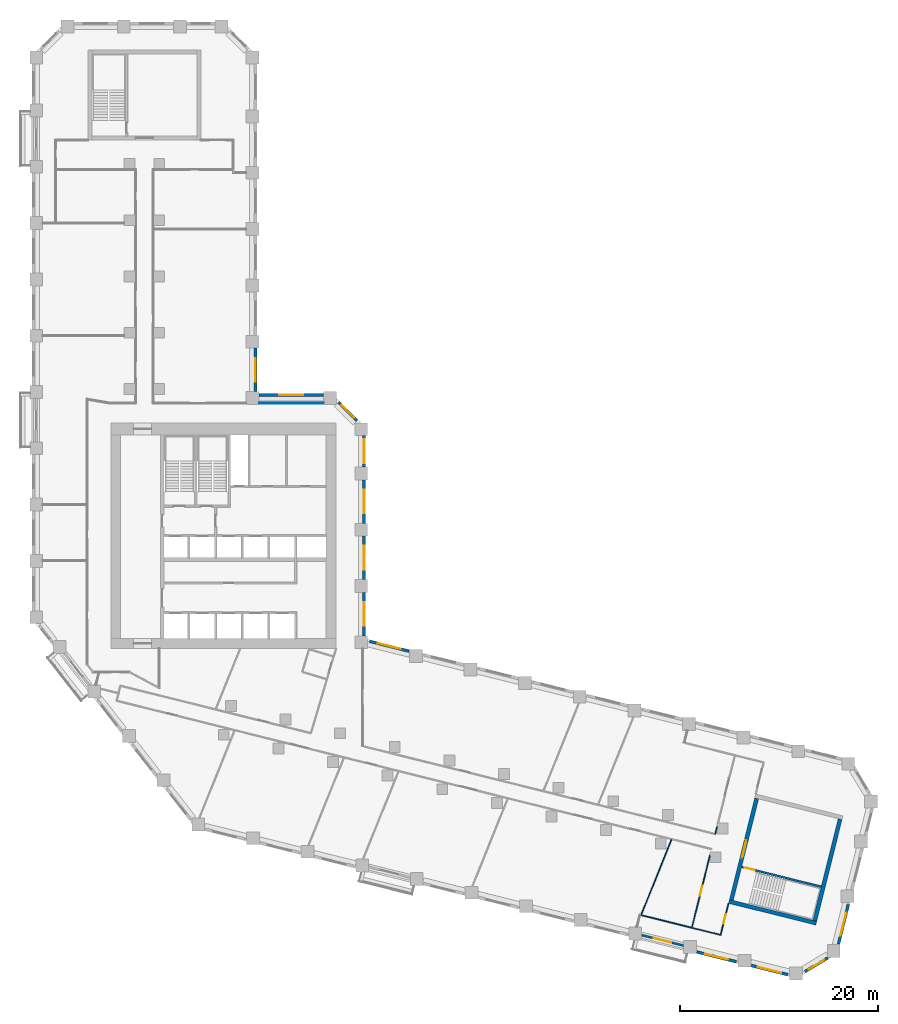
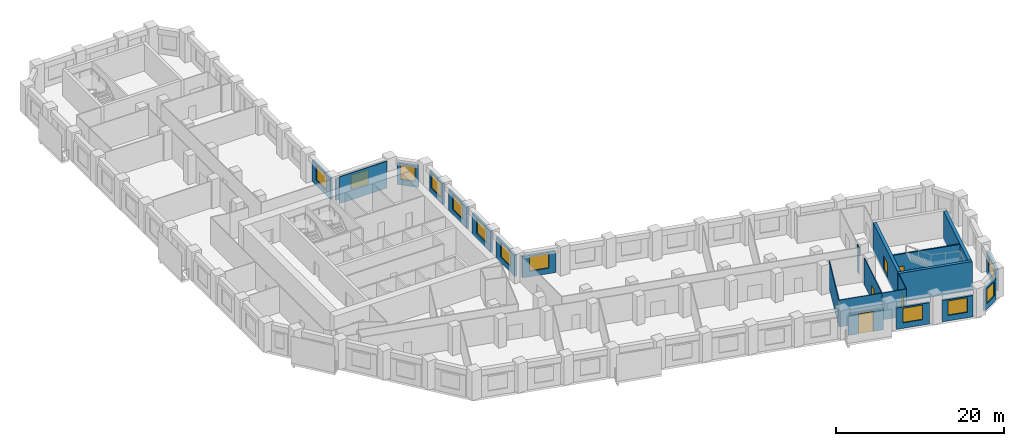
# One storey, part 6 of 10: 24 walls, 12 windows, 5 doors, 17 openings.
"""IFC4 building model written with IfcOpenShell, lengths in metres."""

from ifc_helpers import new_model, si_unit, direction, frame, frame_2d, origin, place, context, subcontext, project, spatial, rectangle, extrude, material, layer, layer_set, type_object, element, fill, save


model = new_model("IFC4")

# Units and contexts
model_context = context("Model", 3, precision=1e-05, world=origin(), true_north=direction((0.0, 1.0)))
body_context = subcontext(model_context, "Body", "Model", "MODEL_VIEW")
ifc_project = project(units=[si_unit("LENGTHUNIT", "METRE"), si_unit("AREAUNIT", "SQUARE_METRE"), si_unit("VOLUMEUNIT", "CUBIC_METRE"), si_unit("PLANEANGLEUNIT", "RADIAN"), si_unit("MASSUNIT", "GRAM", prefix="KILO")], contexts=[model_context])

# Site, building, storey
site_placement = place(None, origin())
site = spatial("IfcSite", under=ifc_project, at=site_placement, CompositionType="ELEMENT")
building_placement = place(site_placement, origin())
building = spatial("IfcBuilding", under=site, at=building_placement, Name="Meshkara Civic Tower", CompositionType="ELEMENT")
storey_placement = place(building_placement, frame((0.0, 0.0, 122.39990234375)))
storey = spatial("IfcBuildingStorey", under=building, at=storey_placement, Name="L27", CompositionType="ELEMENT", Elevation=122.39990234375)

# Walls
ifc_material_1 = material(Name="Corridor wall 100")
ifc_layer_1 = layer(ifc_material_1, 0.10009765625)
ifc_layer_set_1 = layer_set([ifc_layer_1], Name="Corridor wall 100")
wall_type_1 = type_object("IfcWallType", Name="Corridor wall 100", PredefinedType="PARTITIONING", material=ifc_layer_set_1)
wall_1_placement = place(storey_placement, frame((29.5439453125, 38.89990234375, 0.0), z_axis=(0.0, 0.0, 1.0), x_axis=(-1.0, 0.0, 0.0)))
element("IfcWall", 1, at=wall_1_placement, inside=storey, type_object=wall_type_1, Name="L27-W021", PredefinedType="PARTITIONING", context=body_context, shape_type="SweptSolid", body=[
    extrude(rectangle(XDim=6.5439453125, YDim=0.10009765625, at=frame_2d((3.27197265625, 0.0))), origin(), (0.0, 0.0, 1.0), 3.900146484375),
])
wall_2_placement = place(storey_placement, frame((66.822998046875, -14.18701171875, 0.0), z_axis=(0.0, 0.0, 1.0), x_axis=(0.970271610033, -0.242018600037, 0.0)))
element("IfcWall", 2, at=wall_2_placement, inside=storey, type_object=wall_type_1, Name="L27-W024", PredefinedType="PARTITIONING", context=body_context, shape_type="SweptSolid", body=[
    extrude(rectangle(XDim=3.0, YDim=0.10009765625, at=frame_2d((1.5, 0.0))), origin(), (0.0, 0.0, 1.0), 3.900146484375),
])

# Wall, opening, door
wall_3_placement = place(storey_placement, frame((68.64990234375, -6.860107421875, 0.0), z_axis=(0.0, 0.0, 1.0), x_axis=(-0.241934597979, -0.970292559129, 0.0)))
wall_3 = element("IfcWall", 3, at=wall_3_placement, inside=storey, type_object=wall_type_1, Name="L27-W025", PredefinedType="PARTITIONING", context=body_context, shape_type="SweptSolid", body=[
    extrude(rectangle(XDim=7.55126953125, YDim=0.10009765625, at=frame_2d((3.775634765625, 0.0))), origin(), (0.0, 0.0, 1.0), 3.900146484375),
])
opening_1_placement = place(wall_3_placement, frame((3.179931640625, 0.0, 0.0)))
opening_1 = element("IfcOpeningElement", 4, at=opening_1_placement, cuts=wall_3, Name="Opening L27-D002", PredefinedType="OPENING", context=body_context, shape_type="SweptSolid", body=[
    extrude(rectangle(XDim=1.0, YDim=2.10009765625, at=frame_2d((0.5, 1.050048828125))), frame((0.0, 0.06005859375, 0.0), z_axis=(0.0, -1.0, 0.0), x_axis=(1.0, 0.0, 0.0)), (0.0, 0.0, 1.0), 0.1201171875),
])
ifc_material_2 = material(Name="Door 1000 x 2100")
door_type_1 = type_object("IfcDoorType", Name="Door 1000 x 2100", OperationType="SINGLE_SWING_LEFT", PredefinedType="DOOR", material=ifc_material_2)
door_1_placement = place(opening_1_placement, origin())
door_1 = element("IfcDoor", 5, at=door_1_placement, inside=storey, type_object=door_type_1, Name="L27-D002", OperationType="SINGLE_SWING_RIGHT", OverallHeight=2.10009765625, OverallWidth=1.0, PredefinedType="DOOR", context=body_context, shape_type="SweptSolid", body=[
    extrude(rectangle(XDim=1.0, YDim=2.10009765625, at=frame_2d((0.5, 1.050048828125))), frame((0.0, 0.02490234375, 0.0), z_axis=(0.0, -1.0, 0.0), x_axis=(1.0, 0.0, 0.0)), (0.0, 0.0, 1.0), 0.050048828125),
])
fill(opening_1, door_1)

# Wall
wall_4_placement = place(storey_placement, frame((69.3759765625, -3.947998046875, 0.0), z_axis=(0.0, 0.0, 1.0), x_axis=(-0.24193792473, -0.970291729624, 0.0)))
element("IfcWall", 6, at=wall_4_placement, inside=storey, type_object=wall_type_1, Name="L27-W026", PredefinedType="PARTITIONING", context=body_context, shape_type="SweptSolid", body=[
    extrude(rectangle(XDim=0.76904296875, YDim=0.10009765625, at=frame_2d((0.384521484375, 0.0))), origin(), (0.0, 0.0, 1.0), 3.900146484375),
])

# Wall, opening, door
wall_5_placement = place(storey_placement, frame((69.73388671875, -14.9130859375, 0.0), z_axis=(0.0, 0.0, 1.0), x_axis=(0.241839284064, 0.97031631991, 0.0)))
wall_5 = element("IfcWall", 7, at=wall_5_placement, inside=storey, type_object=wall_type_1, Name="L27-W027", PredefinedType="PARTITIONING", context=body_context, shape_type="SweptSolid", body=[
    extrude(rectangle(XDim=3.300048828125, YDim=0.10009765625, at=frame_2d((1.64990234375, 0.0))), origin(), (0.0, 0.0, 1.0), 3.900146484375),
])
opening_2_placement = place(wall_5_placement, frame((1.179931640625, 0.0, 0.0)))
opening_2 = element("IfcOpeningElement", 8, at=opening_2_placement, cuts=wall_5, Name="Opening L27-D001", PredefinedType="OPENING", context=body_context, shape_type="SweptSolid", body=[
    extrude(rectangle(XDim=1.0, YDim=2.10009765625, at=frame_2d((0.5, 1.050048828125))), frame((0.0, 0.06005859375, 0.0), z_axis=(0.0, -1.0, 0.0), x_axis=(1.0, 0.0, 0.0)), (0.0, 0.0, 1.0), 0.1201171875),
])
door_2_placement = place(opening_2_placement, origin())
door_2 = element("IfcDoor", 9, at=door_2_placement, inside=storey, type_object=door_type_1, Name="L27-D001", OperationType="SINGLE_SWING_LEFT", OverallHeight=2.10009765625, OverallWidth=1.0, PredefinedType="DOOR", context=body_context, shape_type="SweptSolid", body=[
    extrude(rectangle(XDim=1.0, YDim=2.10009765625, at=frame_2d((0.5, 1.050048828125))), frame((0.0, 0.02490234375, 0.0), z_axis=(0.0, -1.0, 0.0), x_axis=(1.0, 0.0, 0.0)), (0.0, 0.0, 1.0), 0.050048828125),
])
fill(opening_2, door_2)

# Wall, opening, window
ifc_material_3 = material(Name="Insulated infill panel with bronze anodised aluminium cladding", Category="aluminium")
ifc_layer_2 = layer(ifc_material_3, 0.300048828125)
ifc_layer_set_2 = layer_set([ifc_layer_2], Name="EXTERNAL INFILL WALL 300")
wall_type_2 = type_object("IfcWallType", Name="EXTERNAL INFILL WALL 300", PredefinedType="SOLIDWALL", material=ifc_layer_set_2)
wall_6_placement = place(storey_placement, frame((38.18896484375, 13.822021484375, 0.0), z_axis=(0.0, 0.0, 1.0), x_axis=(-0.970281616392, 0.241978480223, 0.0)))
wall_6 = element("IfcWall", 10, at=wall_6_placement, inside=storey, type_object=wall_type_2, Name="External wall", PredefinedType="SOLIDWALL", context=body_context, shape_type="SweptSolid", body=[
    extrude(rectangle(XDim=4.12451171875, YDim=0.300048828125, at=frame_2d((2.062255859375, 0.0))), origin(), (0.0, 0.0, 1.0), 3.10009765625),
])
opening_3_placement = place(wall_6_placement, frame((0.862060546875, 0.0, 0.800048828125)))
opening_3 = element("IfcOpeningElement", 11, at=opening_3_placement, cuts=wall_6, Name="Opening W7", PredefinedType="OPENING", context=body_context, shape_type="SweptSolid", body=[
    extrude(rectangle(XDim=2.39990234375, YDim=2.10009765625, at=frame_2d((1.199951171875, 1.050048828125))), frame((0.0, 0.159912109375, 0.0), z_axis=(0.0, -1.0, 0.0), x_axis=(1.0, 0.0, 0.0)), (0.0, 0.0, 1.0), 0.320068359375),
])
ifc_material_4 = material(Name="Tinted double glazing", Category="glass")
window_type_1 = type_object("IfcWindowType", Name="WINDOW 2400x2100", PartitioningType="DOUBLE_PANEL_VERTICAL", PredefinedType="WINDOW", material=ifc_material_4)
window_1_placement = place(opening_3_placement, origin())
window_1 = element("IfcWindow", 12, at=window_1_placement, inside=storey, type_object=window_type_1, Name="Window", OverallHeight=2.10009765625, OverallWidth=2.39990234375, PartitioningType="DOUBLE_PANEL_VERTICAL", PredefinedType="WINDOW", context=body_context, shape_type="SweptSolid", body=[
    extrude(rectangle(XDim=2.39990234375, YDim=2.10009765625, at=frame_2d((1.199951171875, 1.050048828125))), frame((0.0, 0.030029296875, 0.0), z_axis=(0.0, -1.0, 0.0), x_axis=(1.0, 0.0, 0.0)), (0.0, 0.0, 1.0), 0.06005859375),
])
fill(opening_3, window_1)

wall_7_placement = place(storey_placement, frame((33.64990234375, 15.368896484375, 0.0), z_axis=(0.0, 0.0, 1.0), x_axis=(0.0, 1.0, 0.0)))
wall_7 = element("IfcWall", 13, at=wall_7_placement, inside=storey, type_object=wall_type_2, Name="External wall", PredefinedType="SOLIDWALL", context=body_context, shape_type="SweptSolid", body=[
    extrude(rectangle(XDim=4.400146484375, YDim=0.300048828125, at=frame_2d((2.2001953125, 0.0))), origin(), (0.0, 0.0, 1.0), 3.10009765625),
])
opening_4_placement = place(wall_7_placement, frame((1.0, 0.0, 0.800048828125)))
opening_4 = element("IfcOpeningElement", 14, at=opening_4_placement, cuts=wall_7, Name="Opening W7", PredefinedType="OPENING", context=body_context, shape_type="SweptSolid", body=[
    extrude(rectangle(XDim=2.39990234375, YDim=2.10009765625, at=frame_2d((1.199951171875, 1.050048828125))), frame((0.0, 0.159912109375, 0.0), z_axis=(0.0, -1.0, 0.0), x_axis=(1.0, 0.0, 0.0)), (0.0, 0.0, 1.0), 0.320068359375),
])
window_2_placement = place(opening_4_placement, origin())
window_2 = element("IfcWindow", 15, at=window_2_placement, inside=storey, type_object=window_type_1, Name="Window", OverallHeight=2.10009765625, OverallWidth=2.39990234375, PartitioningType="DOUBLE_PANEL_VERTICAL", PredefinedType="WINDOW", context=body_context, shape_type="SweptSolid", body=[
    extrude(rectangle(XDim=2.39990234375, YDim=2.10009765625, at=frame_2d((1.199951171875, 1.050048828125))), frame((0.0, 0.030029296875, 0.0), z_axis=(0.0, -1.0, 0.0), x_axis=(1.0, 0.0, 0.0)), (0.0, 0.0, 1.0), 0.06005859375),
])
fill(opening_4, window_2)

wall_8_placement = place(storey_placement, frame((33.64990234375, 21.069091796875, 0.0), z_axis=(0.0, 0.0, 1.0), x_axis=(0.0, 1.0, 0.0)))
wall_8 = element("IfcWall", 16, at=wall_8_placement, inside=storey, type_object=wall_type_2, Name="External wall", PredefinedType="SOLIDWALL", context=body_context, shape_type="SweptSolid", body=[
    extrude(rectangle(XDim=4.39990234375, YDim=0.300048828125, at=frame_2d((2.199951171875, 0.0))), origin(), (0.0, 0.0, 1.0), 3.10009765625),
])
opening_5_placement = place(wall_8_placement, frame((1.0, 0.0, 0.800048828125)))
opening_5 = element("IfcOpeningElement", 17, at=opening_5_placement, cuts=wall_8, Name="Opening W7", PredefinedType="OPENING", context=body_context, shape_type="SweptSolid", body=[
    extrude(rectangle(XDim=2.39990234375, YDim=2.10009765625, at=frame_2d((1.199951171875, 1.050048828125))), frame((0.0, 0.159912109375, 0.0), z_axis=(0.0, -1.0, 0.0), x_axis=(1.0, 0.0, 0.0)), (0.0, 0.0, 1.0), 0.320068359375),
])
window_3_placement = place(opening_5_placement, origin())
window_3 = element("IfcWindow", 18, at=window_3_placement, inside=storey, type_object=window_type_1, Name="Window", OverallHeight=2.10009765625, OverallWidth=2.39990234375, PartitioningType="DOUBLE_PANEL_VERTICAL", PredefinedType="WINDOW", context=body_context, shape_type="SweptSolid", body=[
    extrude(rectangle(XDim=2.39990234375, YDim=2.10009765625, at=frame_2d((1.199951171875, 1.050048828125))), frame((0.0, 0.030029296875, 0.0), z_axis=(0.0, -1.0, 0.0), x_axis=(1.0, 0.0, 0.0)), (0.0, 0.0, 1.0), 0.06005859375),
])
fill(opening_5, window_3)

wall_9_placement = place(storey_placement, frame((33.64990234375, 26.76904296875, 0.0), z_axis=(0.0, 0.0, 1.0), x_axis=(0.0, 1.0, 0.0)))
wall_9 = element("IfcWall", 19, at=wall_9_placement, inside=storey, type_object=wall_type_2, Name="External wall", PredefinedType="SOLIDWALL", context=body_context, shape_type="SweptSolid", body=[
    extrude(rectangle(XDim=4.39990234375, YDim=0.300048828125, at=frame_2d((2.199951171875, 0.0))), origin(), (0.0, 0.0, 1.0), 3.10009765625),
])
opening_6_placement = place(wall_9_placement, frame((1.0, 0.0, 0.800048828125)))
opening_6 = element("IfcOpeningElement", 20, at=opening_6_placement, cuts=wall_9, Name="Opening W7", PredefinedType="OPENING", context=body_context, shape_type="SweptSolid", body=[
    extrude(rectangle(XDim=2.39990234375, YDim=2.10009765625, at=frame_2d((1.199951171875, 1.050048828125))), frame((0.0, 0.159912109375, 0.0), z_axis=(0.0, -1.0, 0.0), x_axis=(1.0, 0.0, 0.0)), (0.0, 0.0, 1.0), 0.320068359375),
])
window_4_placement = place(opening_6_placement, origin())
window_4 = element("IfcWindow", 21, at=window_4_placement, inside=storey, type_object=window_type_1, Name="Window", OverallHeight=2.10009765625, OverallWidth=2.39990234375, PartitioningType="DOUBLE_PANEL_VERTICAL", PredefinedType="WINDOW", context=body_context, shape_type="SweptSolid", body=[
    extrude(rectangle(XDim=2.39990234375, YDim=2.10009765625, at=frame_2d((1.199951171875, 1.050048828125))), frame((0.0, 0.030029296875, 0.0), z_axis=(0.0, -1.0, 0.0), x_axis=(1.0, 0.0, 0.0)), (0.0, 0.0, 1.0), 0.06005859375),
])
fill(opening_6, window_4)

wall_10_placement = place(storey_placement, frame((33.64990234375, 32.468994140625, 0.0), z_axis=(0.0, 0.0, 1.0), x_axis=(0.0, 1.0, 0.0)))
wall_10 = element("IfcWall", 22, at=wall_10_placement, inside=storey, type_object=wall_type_2, Name="External wall", PredefinedType="SOLIDWALL", context=body_context, shape_type="SweptSolid", body=[
    extrude(rectangle(XDim=3.175048828125, YDim=0.300048828125, at=frame_2d((1.58740234375, 0.0))), origin(), (0.0, 0.0, 1.0), 3.10009765625),
])
opening_7_placement = place(wall_10_placement, frame((0.387939453125, 0.0, 0.800048828125)))
opening_7 = element("IfcOpeningElement", 23, at=opening_7_placement, cuts=wall_10, Name="Opening W7", PredefinedType="OPENING", context=body_context, shape_type="SweptSolid", body=[
    extrude(rectangle(XDim=2.39990234375, YDim=2.10009765625, at=frame_2d((1.199951171875, 1.050048828125))), frame((0.0, 0.159912109375, 0.0), z_axis=(0.0, -1.0, 0.0), x_axis=(1.0, 0.0, 0.0)), (0.0, 0.0, 1.0), 0.320068359375),
])
window_5_placement = place(opening_7_placement, origin())
window_5 = element("IfcWindow", 24, at=window_5_placement, inside=storey, type_object=window_type_1, Name="Window", OverallHeight=2.10009765625, OverallWidth=2.39990234375, PartitioningType="DOUBLE_PANEL_VERTICAL", PredefinedType="WINDOW", context=body_context, shape_type="SweptSolid", body=[
    extrude(rectangle(XDim=2.39990234375, YDim=2.10009765625, at=frame_2d((1.199951171875, 1.050048828125))), frame((0.0, 0.030029296875, 0.0), z_axis=(0.0, -1.0, 0.0), x_axis=(1.0, 0.0, 0.0)), (0.0, 0.0, 1.0), 0.06005859375),
])
fill(opening_7, window_5)

wall_11_placement = place(storey_placement, frame((32.912109375, 37.156005859375, 0.0), z_axis=(0.0, 0.0, 1.0), x_axis=(-0.707153284542, 0.707060274772, 0.0)))
wall_11 = element("IfcWall", 25, at=wall_11_placement, inside=storey, type_object=wall_type_2, Name="External wall", PredefinedType="SOLIDWALL", context=body_context, shape_type="SweptSolid", body=[
    extrude(rectangle(XDim=2.625, YDim=0.300048828125, at=frame_2d((1.3125, 0.0))), origin(), (0.0, 0.0, 1.0), 3.10009765625),
])
opening_8_placement = place(wall_11_placement, frame((0.412109375, 0.0, 0.800048828125)))
opening_8 = element("IfcOpeningElement", 26, at=opening_8_placement, cuts=wall_11, Name="Opening W9", PredefinedType="OPENING", context=body_context, shape_type="SweptSolid", body=[
    extrude(rectangle(XDim=1.800048828125, YDim=2.10009765625, at=frame_2d((0.89990234375, 1.050048828125))), frame((0.0, 0.159912109375, 0.0), z_axis=(0.0, -1.0, 0.0), x_axis=(1.0, 0.0, 0.0)), (0.0, 0.0, 1.0), 0.320068359375),
])
ifc_material_5 = material(Name="Tinted double glazing", Category="glass")
window_type_2 = type_object("IfcWindowType", Name="WINDOW 1800x2100", PartitioningType="DOUBLE_PANEL_VERTICAL", PredefinedType="WINDOW", material=ifc_material_5)
window_6_placement = place(opening_8_placement, origin())
window_6 = element("IfcWindow", 27, at=window_6_placement, inside=storey, type_object=window_type_2, Name="Window", OverallHeight=2.10009765625, OverallWidth=1.800048828125, PartitioningType="DOUBLE_PANEL_VERTICAL", PredefinedType="WINDOW", context=body_context, shape_type="SweptSolid", body=[
    extrude(rectangle(XDim=1.800048828125, YDim=2.10009765625, at=frame_2d((0.89990234375, 1.050048828125))), frame((0.0, 0.030029296875, 0.0), z_axis=(0.0, -1.0, 0.0), x_axis=(1.0, 0.0, 0.0)), (0.0, 0.0, 1.0), 0.06005859375),
])
fill(opening_8, window_6)

wall_12_placement = place(storey_placement, frame((29.5439453125, 39.75, 0.0), z_axis=(0.0, 0.0, 1.0), x_axis=(-1.0, 0.0, 0.0)))
wall_12 = element("IfcWall", 28, at=wall_12_placement, inside=storey, type_object=wall_type_2, Name="External wall", PredefinedType="SOLIDWALL", context=body_context, shape_type="SweptSolid", body=[
    extrude(rectangle(XDim=6.5439453125, YDim=0.300048828125, at=frame_2d((3.27197265625, 0.0))), origin(), (0.0, 0.0, 1.0), 3.10009765625),
])
opening_9_placement = place(wall_12_placement, frame((2.072021484375, 0.0, 0.800048828125)))
opening_9 = element("IfcOpeningElement", 29, at=opening_9_placement, cuts=wall_12, Name="Opening W7", PredefinedType="OPENING", context=body_context, shape_type="SweptSolid", body=[
    extrude(rectangle(XDim=2.39990234375, YDim=2.10009765625, at=frame_2d((1.199951171875, 1.050048828125))), frame((0.0, 0.159912109375, 0.0), z_axis=(0.0, -1.0, 0.0), x_axis=(1.0, 0.0, 0.0)), (0.0, 0.0, 1.0), 0.320068359375),
])
window_7_placement = place(opening_9_placement, origin())
window_7 = element("IfcWindow", 30, at=window_7_placement, inside=storey, type_object=window_type_1, Name="Window", OverallHeight=2.10009765625, OverallWidth=2.39990234375, PartitioningType="DOUBLE_PANEL_VERTICAL", PredefinedType="WINDOW", context=body_context, shape_type="SweptSolid", body=[
    extrude(rectangle(XDim=2.39990234375, YDim=2.10009765625, at=frame_2d((1.199951171875, 1.050048828125))), frame((0.0, 0.030029296875, 0.0), z_axis=(0.0, -1.0, 0.0), x_axis=(1.0, 0.0, 0.0)), (0.0, 0.0, 1.0), 0.06005859375),
])
fill(opening_9, window_7)

wall_13_placement = place(storey_placement, frame((22.64990234375, 40.10009765625, 0.0), z_axis=(0.0, 0.0, 1.0), x_axis=(0.0, 1.0, 0.0)))
wall_13 = element("IfcWall", 31, at=wall_13_placement, inside=storey, type_object=wall_type_2, Name="External wall", PredefinedType="SOLIDWALL", context=body_context, shape_type="SweptSolid", body=[
    extrude(rectangle(XDim=4.39990234375, YDim=0.300048828125, at=frame_2d((2.199951171875, 0.0))), origin(), (0.0, 0.0, 1.0), 3.10009765625),
])
opening_10_placement = place(wall_13_placement, frame((1.0, 0.0, 0.800048828125)))
opening_10 = element("IfcOpeningElement", 32, at=opening_10_placement, cuts=wall_13, Name="Opening W7", PredefinedType="OPENING", context=body_context, shape_type="SweptSolid", body=[
    extrude(rectangle(XDim=2.39990234375, YDim=2.10009765625, at=frame_2d((1.199951171875, 1.050048828125))), frame((0.0, 0.159912109375, 0.0), z_axis=(0.0, -1.0, 0.0), x_axis=(1.0, 0.0, 0.0)), (0.0, 0.0, 1.0), 0.320068359375),
])
window_8_placement = place(opening_10_placement, origin())
window_8 = element("IfcWindow", 33, at=window_8_placement, inside=storey, type_object=window_type_1, Name="Window", OverallHeight=2.10009765625, OverallWidth=2.39990234375, PartitioningType="DOUBLE_PANEL_VERTICAL", PredefinedType="WINDOW", context=body_context, shape_type="SweptSolid", body=[
    extrude(rectangle(XDim=2.39990234375, YDim=2.10009765625, at=frame_2d((1.199951171875, 1.050048828125))), frame((0.0, 0.030029296875, 0.0), z_axis=(0.0, -1.0, 0.0), x_axis=(1.0, 0.0, 0.0)), (0.0, 0.0, 1.0), 0.06005859375),
])
fill(opening_10, window_8)

wall_14_placement = place(storey_placement, frame((67.319091796875, -16.6298828125, 0.0), z_axis=(0.0, 0.0, 1.0), x_axis=(0.970337184445, -0.241755555227, 0.0)))
wall_14 = element("IfcWall", 34, at=wall_14_placement, inside=storey, type_object=wall_type_2, Name="External wall", PredefinedType="SOLIDWALL", context=body_context, shape_type="SweptSolid", body=[
    extrude(rectangle(XDim=4.124267578125, YDim=0.300048828125, at=frame_2d((2.06201171875, 0.0))), origin(), (0.0, 0.0, 1.0), 3.10009765625),
])
opening_11_placement = place(wall_14_placement, frame((0.862060546875, 0.0, 0.800048828125)))
opening_11 = element("IfcOpeningElement", 35, at=opening_11_placement, cuts=wall_14, Name="Opening W7", PredefinedType="OPENING", context=body_context, shape_type="SweptSolid", body=[
    extrude(rectangle(XDim=2.39990234375, YDim=2.10009765625, at=frame_2d((1.199951171875, 1.050048828125))), frame((0.0, 0.159912109375, 0.0), z_axis=(0.0, -1.0, 0.0), x_axis=(1.0, 0.0, 0.0)), (0.0, 0.0, 1.0), 0.320068359375),
])
window_9_placement = place(opening_11_placement, origin())
window_9 = element("IfcWindow", 36, at=window_9_placement, inside=storey, type_object=window_type_1, Name="Window", OverallHeight=2.10009765625, OverallWidth=2.39990234375, PartitioningType="DOUBLE_PANEL_VERTICAL", PredefinedType="WINDOW", context=body_context, shape_type="SweptSolid", body=[
    extrude(rectangle(XDim=2.39990234375, YDim=2.10009765625, at=frame_2d((1.199951171875, 1.050048828125))), frame((0.0, 0.030029296875, 0.0), z_axis=(0.0, -1.0, 0.0), x_axis=(1.0, 0.0, 0.0)), (0.0, 0.0, 1.0), 0.06005859375),
])
fill(opening_11, window_9)

wall_15_placement = place(storey_placement, frame((72.85009765625, -18.009033203125, 0.0), z_axis=(0.0, 0.0, 1.0), x_axis=(0.970309295155, -0.241867467295, 0.0)))
wall_15 = element("IfcWall", 37, at=wall_15_placement, inside=storey, type_object=wall_type_2, Name="External wall", PredefinedType="SOLIDWALL", context=body_context, shape_type="SweptSolid", body=[
    extrude(rectangle(XDim=3.783203125, YDim=0.300048828125, at=frame_2d((1.8916015625, 0.0))), origin(), (0.0, 0.0, 1.0), 3.10009765625),
])
opening_12_placement = place(wall_15_placement, frame((0.69189453125, 0.0, 0.800048828125)))
opening_12 = element("IfcOpeningElement", 38, at=opening_12_placement, cuts=wall_15, Name="Opening W7", PredefinedType="OPENING", context=body_context, shape_type="SweptSolid", body=[
    extrude(rectangle(XDim=2.39990234375, YDim=2.10009765625, at=frame_2d((1.199951171875, 1.050048828125))), frame((0.0, 0.159912109375, 0.0), z_axis=(0.0, -1.0, 0.0), x_axis=(1.0, 0.0, 0.0)), (0.0, 0.0, 1.0), 0.320068359375),
])
window_10_placement = place(opening_12_placement, origin())
window_10 = element("IfcWindow", 39, at=window_10_placement, inside=storey, type_object=window_type_1, Name="Window", OverallHeight=2.10009765625, OverallWidth=2.39990234375, PartitioningType="DOUBLE_PANEL_VERTICAL", PredefinedType="WINDOW", context=body_context, shape_type="SweptSolid", body=[
    extrude(rectangle(XDim=2.39990234375, YDim=2.10009765625, at=frame_2d((1.199951171875, 1.050048828125))), frame((0.0, 0.030029296875, 0.0), z_axis=(0.0, -1.0, 0.0), x_axis=(1.0, 0.0, 0.0)), (0.0, 0.0, 1.0), 0.06005859375),
])
fill(opening_12, window_10)

wall_16_placement = place(storey_placement, frame((78.277099609375, -18.62109375, 0.0), z_axis=(0.0, 0.0, 1.0), x_axis=(0.857066424989, 0.515205923061, 0.0)))
wall_16 = element("IfcWall", 40, at=wall_16_placement, inside=storey, type_object=wall_type_2, Name="External wall", PredefinedType="SOLIDWALL", context=body_context, shape_type="SweptSolid", body=[
    extrude(rectangle(XDim=2.6787109375, YDim=0.300048828125, at=frame_2d((1.33935546875, 0.0))), origin(), (0.0, 0.0, 1.0), 3.10009765625),
])
opening_13_placement = place(wall_16_placement, frame((0.43896484375, 0.0, 0.800048828125)))
opening_13 = element("IfcOpeningElement", 41, at=opening_13_placement, cuts=wall_16, Name="Opening W9", PredefinedType="OPENING", context=body_context, shape_type="SweptSolid", body=[
    extrude(rectangle(XDim=1.800048828125, YDim=2.10009765625, at=frame_2d((0.89990234375, 1.050048828125))), frame((0.0, 0.159912109375, 0.0), z_axis=(0.0, -1.0, 0.0), x_axis=(1.0, 0.0, 0.0)), (0.0, 0.0, 1.0), 0.320068359375),
])
window_11_placement = place(opening_13_placement, origin())
window_11 = element("IfcWindow", 42, at=window_11_placement, inside=storey, type_object=window_type_2, Name="Window", OverallHeight=2.10009765625, OverallWidth=1.800048828125, PartitioningType="DOUBLE_PANEL_VERTICAL", PredefinedType="WINDOW", context=body_context, shape_type="SweptSolid", body=[
    extrude(rectangle(XDim=1.800048828125, YDim=2.10009765625, at=frame_2d((0.89990234375, 1.050048828125))), frame((0.0, 0.030029296875, 0.0), z_axis=(0.0, -1.0, 0.0), x_axis=(1.0, 0.0, 0.0)), (0.0, 0.0, 1.0), 0.06005859375),
])
fill(opening_13, window_11)

wall_17_placement = place(storey_placement, frame((81.6650390625, -15.83203125, 0.0), z_axis=(0.0, 0.0, 1.0), x_axis=(0.241978480223, 0.970281616392, 0.0)))
wall_17 = element("IfcWall", 43, at=wall_17_placement, inside=storey, type_object=wall_type_2, Name="External wall", PredefinedType="SOLIDWALL", context=body_context, shape_type="SweptSolid", body=[
    extrude(rectangle(XDim=4.12451171875, YDim=0.300048828125, at=frame_2d((2.062255859375, 0.0))), origin(), (0.0, 0.0, 1.0), 3.10009765625),
])
opening_14_placement = place(wall_17_placement, frame((0.862060546875, 0.0, 0.800048828125)))
opening_14 = element("IfcOpeningElement", 44, at=opening_14_placement, cuts=wall_17, Name="Opening W7", PredefinedType="OPENING", context=body_context, shape_type="SweptSolid", body=[
    extrude(rectangle(XDim=2.39990234375, YDim=2.10009765625, at=frame_2d((1.199951171875, 1.050048828125))), frame((0.0, 0.159912109375, 0.0), z_axis=(0.0, -1.0, 0.0), x_axis=(1.0, 0.0, 0.0)), (0.0, 0.0, 1.0), 0.320068359375),
])
window_12_placement = place(opening_14_placement, origin())
window_12 = element("IfcWindow", 45, at=window_12_placement, inside=storey, type_object=window_type_1, Name="Window", OverallHeight=2.10009765625, OverallWidth=2.39990234375, PartitioningType="DOUBLE_PANEL_VERTICAL", PredefinedType="WINDOW", context=body_context, shape_type="SweptSolid", body=[
    extrude(rectangle(XDim=2.39990234375, YDim=2.10009765625, at=frame_2d((1.199951171875, 1.050048828125))), frame((0.0, 0.030029296875, 0.0), z_axis=(0.0, -1.0, 0.0), x_axis=(1.0, 0.0, 0.0)), (0.0, 0.0, 1.0), 0.06005859375),
])
fill(opening_14, window_12)

# Wall
ifc_material_6 = material(Name="Concrete C70", Category="concrete")
ifc_layer_3 = layer(ifc_material_6, 0.39990234375)
ifc_layer_set_3 = layer_set([ifc_layer_3], Name="End core ring wall 400 C70")
wall_type_3 = type_object("IfcWallType", Name="End core ring wall 400 C70", PredefinedType="SHEAR", material=ifc_layer_set_3)
wall_18_placement = place(storey_placement, frame((70.580078125, -11.51708984375, -0.2998046875), z_axis=(0.0, 0.0, 1.0), x_axis=(0.970285938441, -0.241961149081, 0.0)))
element("IfcWall", 46, at=wall_18_placement, inside=storey, type_object=wall_type_3, Name="L27-C031", PredefinedType="SHEAR", context=body_context, shape_type="SweptSolid", body=[
    extrude(rectangle(XDim=9.100341796875, YDim=0.39990234375, at=frame_2d((4.55029296875, 0.0))), origin(), (0.0, 0.0, 1.0), 4.199951171875),
])

# Wall, opening, door
wall_19_placement = place(storey_placement, frame((70.822998046875, -11.37109375, -0.2998046875), z_axis=(0.0, 0.0, 1.0), x_axis=(0.241885246693, 0.97030486314, 0.0)))
wall_19 = element("IfcWall", 47, at=wall_19_placement, inside=storey, type_object=wall_type_3, Name="L27-C033", PredefinedType="SHEAR", context=body_context, shape_type="SweptSolid", body=[
    extrude(rectangle(XDim=10.599853515625, YDim=0.39990234375, at=frame_2d((5.2998046875, 0.0))), origin(), (0.0, 0.0, 1.0), 4.199951171875),
])
opening_15_placement = place(wall_19_placement, frame((4.39990234375, 0.0, 0.300048828125)))
opening_15 = element("IfcOpeningElement", 48, at=opening_15_placement, cuts=wall_19, Name="Opening L27-K202", PredefinedType="OPENING", context=body_context, shape_type="SweptSolid", body=[
    extrude(rectangle(XDim=1.800048828125, YDim=2.10009765625, at=frame_2d((0.89990234375, 1.050048828125))), frame((0.0, 0.2099609375, 0.0), z_axis=(0.0, -1.0, 0.0), x_axis=(1.0, 0.0, 0.0)), (0.0, 0.0, 1.0), 0.419921875),
])
ifc_material_7 = material(Name="Fire-rated door leaf in steel frame", Category="steel")
door_type_2 = type_object("IfcDoorType", Name="Core double door 1800 EI 60", OperationType="DOUBLE_DOOR_SINGLE_SWING", PredefinedType="DOOR", material=ifc_material_7)
door_3_placement = place(opening_15_placement, origin())
door_3 = element("IfcDoor", 49, at=door_3_placement, inside=storey, type_object=door_type_2, Name="L27-K202", OperationType="DOUBLE_DOOR_SINGLE_SWING", OverallHeight=2.10009765625, OverallWidth=1.800048828125, PredefinedType="DOOR", context=body_context, shape_type="SweptSolid", body=[
    extrude(rectangle(XDim=1.800048828125, YDim=2.10009765625, at=frame_2d((0.89990234375, 1.050048828125))), frame((0.0, 0.02490234375, 0.0), z_axis=(0.0, -1.0, 0.0), x_axis=(1.0, 0.0, 0.0)), (0.0, 0.0, 1.0), 0.050048828125),
])
fill(opening_15, door_3)

# Wall
wall_20_placement = place(storey_placement, frame((79.263916015625, -13.47607421875, -0.2998046875), z_axis=(0.0, 0.0, 1.0), x_axis=(0.241993665753, 0.970277829148, 0.0)))
element("IfcWall", 50, at=wall_20_placement, inside=storey, type_object=wall_type_3, Name="L27-C034", PredefinedType="SHEAR", context=body_context, shape_type="SweptSolid", body=[
    extrude(rectangle(XDim=10.60009765625, YDim=0.39990234375, at=frame_2d((5.300048828125, 0.0))), origin(), (0.0, 0.0, 1.0), 4.199951171875),
])

# Wall, opening, door
ifc_material_8 = material(Name="Insulated infill panel with bronze anodised aluminium cladding", Category="aluminium")
ifc_layer_4 = layer(ifc_material_8, 0.199951171875)
ifc_layer_set_4 = layer_set([ifc_layer_4], Name="LOGGIA BACK WALL 200")
wall_type_4 = type_object("IfcWallType", Name="LOGGIA BACK WALL 200", PredefinedType="SOLIDWALL", material=ifc_layer_set_4)
wall_21_placement = place(storey_placement, frame((61.7470703125, -14.930908203125, 0.0), z_axis=(0.0, 0.0, 1.0), x_axis=(0.970267548892, -0.242034880891, 0.0)))
wall_21 = element("IfcWall", 51, at=wall_21_placement, inside=storey, type_object=wall_type_4, Name="Loggia wall", PredefinedType="SOLIDWALL", context=body_context, shape_type="SweptSolid", body=[
    extrude(rectangle(XDim=4.359619140625, YDim=0.199951171875, at=frame_2d((2.1796875, 0.0))), origin(), (0.0, 0.0, 1.0), 3.10009765625),
])
opening_16_placement = place(wall_21_placement, frame((1.279052734375, 0.0, 0.0)))
opening_16 = element("IfcOpeningElement", 52, at=opening_16_placement, cuts=wall_21, Name="Opening L27-L005", PredefinedType="OPENING", context=body_context, shape_type="SweptSolid", body=[
    extrude(rectangle(XDim=1.800048828125, YDim=2.89990234375, at=frame_2d((0.89990234375, 1.449951171875))), frame((0.0, 0.10986328125, 0.0), z_axis=(0.0, -1.0, 0.0), x_axis=(1.0, 0.0, 0.0)), (0.0, 0.0, 1.0), 0.219970703125),
])
ifc_material_9 = material(Name="Tinted double glazing", Category="glass")
door_type_3 = type_object("IfcDoorType", Name="LOGGIA DOOR 1800x2900", OperationType="DOUBLE_DOOR_SINGLE_SWING", PredefinedType="DOOR", material=ifc_material_9)
door_4_placement = place(opening_16_placement, origin())
door_4 = element("IfcDoor", 53, at=door_4_placement, inside=storey, type_object=door_type_3, Name="L27-L005", OperationType="DOUBLE_DOOR_SINGLE_SWING", OverallHeight=2.89990234375, OverallWidth=1.800048828125, PredefinedType="DOOR", context=body_context, shape_type="SweptSolid", body=[
    extrude(rectangle(XDim=1.800048828125, YDim=2.89990234375, at=frame_2d((0.89990234375, 1.449951171875))), frame((0.0, 0.02490234375, 0.0), z_axis=(0.0, -1.0, 0.0), x_axis=(1.0, 0.0, 0.0)), (0.0, 0.0, 1.0), 0.050048828125),
])
fill(opening_16, door_4)

# Walls
ifc_material_10 = material(Name="Partition 100")
ifc_layer_5 = layer(ifc_material_10, 0.10009765625)
ifc_layer_set_5 = layer_set([ifc_layer_5], Name="Partition 100")
wall_type_5 = type_object("IfcWallType", Name="Partition 100", PredefinedType="PARTITIONING", material=ifc_layer_set_5)
wall_22_placement = place(storey_placement, frame((61.677978515625, -12.904052734375, 0.0), z_axis=(0.0, 0.0, 1.0), x_axis=(0.3745149781, 0.927220864292, 0.0)))
element("IfcWall", 54, at=wall_22_placement, inside=storey, type_object=wall_type_5, Name="L27-W052", PredefinedType="PARTITIONING", context=body_context, shape_type="SweptSolid", body=[
    extrude(rectangle(XDim=8.23974609375, YDim=0.10009765625, at=frame_2d((4.119873046875, 0.0))), origin(), (0.0, 0.0, 1.0), 3.900146484375),
])
wall_23_placement = place(storey_placement, frame((61.677978515625, -12.904052734375, 0.0), z_axis=(0.0, 0.0, 1.0), x_axis=(0.97028846404, -0.241951020976, 0.0)))
element("IfcWall", 55, at=wall_23_placement, inside=storey, type_object=wall_type_5, Name="L27-W053", PredefinedType="PARTITIONING", context=body_context, shape_type="SweptSolid", body=[
    extrude(rectangle(XDim=5.306640625, YDim=0.10009765625, at=frame_2d((2.6533203125, 0.0))), origin(), (0.0, 0.0, 1.0), 3.900146484375),
])

# Wall, opening, door
ifc_material_11 = material(Name="Concrete C40/50", Category="concrete")
ifc_layer_6 = layer(ifc_material_11, 0.199951171875)
ifc_layer_set_6 = layer_set([ifc_layer_6], Name="Stair enclosure wall 200 C40/50")
wall_type_6 = type_object("IfcWallType", Name="Stair enclosure wall 200 C40/50", PredefinedType="SOLIDWALL", material=ifc_layer_set_6)
wall_24_placement = place(storey_placement, frame((71.864013671875, -8.02392578125, 0.0), z_axis=(0.0, 0.0, 1.0), x_axis=(0.970289402158, -0.241947258837, 0.0)))
wall_24 = element("IfcWall", 56, at=wall_24_placement, inside=storey, type_object=wall_type_6, Name="L27-C035", PredefinedType="SOLIDWALL", context=body_context, shape_type="SweptSolid", body=[
    extrude(rectangle(XDim=8.299560546875, YDim=0.199951171875, at=frame_2d((4.14990234375, 0.0))), origin(), (0.0, 0.0, 1.0), 3.900146484375),
])
opening_17_placement = place(wall_24_placement, frame((0.35009765625, 0.0, 0.0)))
opening_17 = element("IfcOpeningElement", 57, at=opening_17_placement, cuts=wall_24, Name="Opening L27-K201", PredefinedType="OPENING", context=body_context, shape_type="SweptSolid", body=[
    extrude(rectangle(XDim=1.0, YDim=2.10009765625, at=frame_2d((0.5, 1.050048828125))), frame((0.0, 0.10986328125, 0.0), z_axis=(0.0, -1.0, 0.0), x_axis=(1.0, 0.0, 0.0)), (0.0, 0.0, 1.0), 0.219970703125),
])
ifc_material_12 = material(Name="Fire-rated door leaf in steel frame", Category="steel")
door_type_4 = type_object("IfcDoorType", Name="Stair door 1000 EI 120", OperationType="SINGLE_SWING_LEFT", PredefinedType="DOOR", material=ifc_material_12)
door_5_placement = place(opening_17_placement, origin())
door_5 = element("IfcDoor", 58, at=door_5_placement, inside=storey, type_object=door_type_4, Name="L27-K201", OperationType="SINGLE_SWING_LEFT", OverallHeight=2.10009765625, OverallWidth=1.0, PredefinedType="DOOR", context=body_context, shape_type="SweptSolid", body=[
    extrude(rectangle(XDim=1.0, YDim=2.10009765625, at=frame_2d((0.5, 1.050048828125))), frame((0.0, 0.02490234375, 0.0), z_axis=(0.0, -1.0, 0.0), x_axis=(1.0, 0.0, 0.0)), (0.0, 0.0, 1.0), 0.050048828125),
])
fill(opening_17, door_5)

save(model, "model.ifc")
